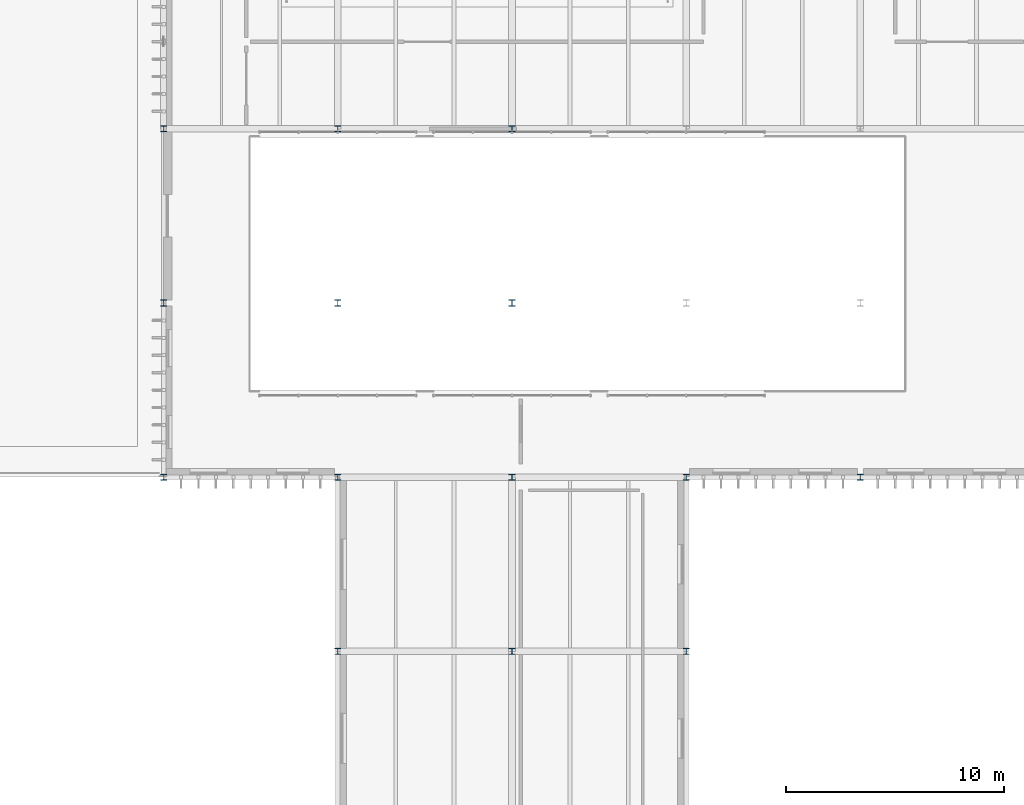
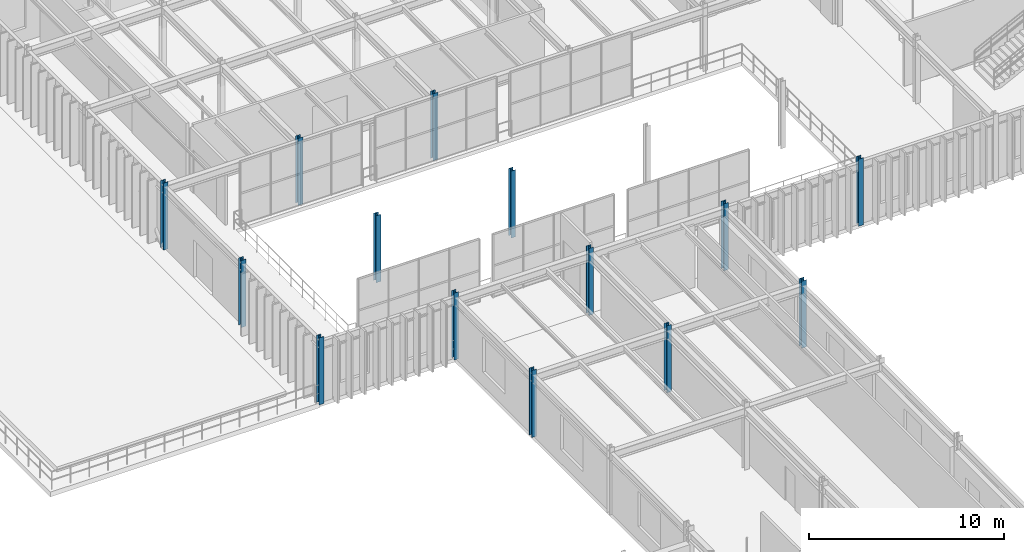
# One storey, part 7 of 122: 14 columns.
"""IFC4 building model written with IfcOpenShell, lengths in metres."""

from ifc_helpers import new_model, si_unit, direction, frame, origin, origin_2d, place, context, subcontext, project, spatial, i_section, extrude, material, material_profile, profile_set, type_object, element, save


model = new_model("IFC4")

# Units and contexts
model_context = context("Model", 3, precision=1e-05, world=origin(), true_north=direction((0.0, 1.0)))
body_context = subcontext(model_context, "Body", "Model", "MODEL_VIEW")
ifc_project = project(units=[si_unit("LENGTHUNIT", "METRE"), si_unit("AREAUNIT", "SQUARE_METRE"), si_unit("VOLUMEUNIT", "CUBIC_METRE"), si_unit("PLANEANGLEUNIT", "RADIAN"), si_unit("MASSUNIT", "GRAM", prefix="KILO")], contexts=[model_context])

# Site, building, storey
site_placement = place(None, origin())
site = spatial("IfcSite", under=ifc_project, at=site_placement, CompositionType="ELEMENT")
building_placement = place(site_placement, origin())
building = spatial("IfcBuilding", under=site, at=building_placement, Name="Sundkrona Museum", CompositionType="ELEMENT")
storey_placement = place(building_placement, frame((0.0, 0.0, 5.39990234375)))
storey = spatial("IfcBuildingStorey", under=building, at=storey_placement, Name="L01", CompositionType="ELEMENT", Elevation=5.39990234375)

# Columns
ifc_material = material(Name="Steel S355J2", Category="steel")
ifc_material_profile = material_profile(ifc_material, i_section(OverallWidth=0.280029296875, OverallDepth=0.280029296875, WebThickness=0.010498046875, FlangeThickness=0.01806640625, FilletRadius=0.02392578125, at=origin_2d()), Name="HEB 280")
ifc_profile_set = profile_set([ifc_material_profile], Name="Steel S355J2")
column_type = type_object("IfcColumnType", Name="C-HEB280", PredefinedType="COLUMN", material=ifc_profile_set)
for number, where, z_axis, x_axis, name in (
    (1, (16.0, 78.0, 0.0), (0.0, 0.0, 1.0), (1.0, 0.0, 0.0), "L01 Column L/3"),
    (2, (16.0, 86.0, 0.0), (0.0, 0.0, 1.0), (1.0, 0.0, 0.0), "L01 Column M/3"),
    (3, (16.0, 94.0, 0.0), (0.0, 0.0, 1.0), (1.0, 0.0, 0.0), "L01 Column N/3"),
    (4, (24.0, 70.0, 0.0), (0.0, 0.0, 1.0), (1.0, 0.0, 0.0), "L01 Column K/4"),
    (5, (24.0, 78.0, 0.0), (0.0, 0.0, 1.0), (1.0, 0.0, 0.0), "L01 Column L/4"),
    (6, (24.0, 86.0, 0.0), (0.0, 0.0, 1.0), (1.0, 0.0, 0.0), "L01 Column M/4"),
    (7, (24.0, 94.0, 0.0), (0.0, 0.0, 1.0), (1.0, 0.0, 0.0), "L01 Column N/4"),
    (8, (32.0, 70.0, 0.0), (0.0, 0.0, 1.0), (1.0, 0.0, 0.0), "L01 Column K/5"),
    (9, (32.0, 78.0, 0.0), (0.0, 0.0, 1.0), (1.0, 0.0, 0.0), "L01 Column L/5"),
    (10, (32.0, 86.0, 0.0), (0.0, 0.0, 1.0), (1.0, 0.0, 0.0), "L01 Column M/5"),
    (11, (32.0, 94.0, 0.0), (0.0, 0.0, 1.0), (1.0, 0.0, 0.0), "L01 Column N/5"),
    (12, (40.0, 70.0, 0.0), (0.0, 0.0, 1.0), (1.0, 0.0, 0.0), "L01 Column K/6"),
    (13, (40.0, 78.0, 0.0), (0.0, 0.0, 1.0), (1.0, 0.0, 0.0), "L01 Column L/6"),
    (14, (48.0, 78.0, 0.0), (0.0, 0.0, 1.0), (1.0, 0.0, 0.0), "L01 Column L/7"),
):
    element("IfcColumn", number, at=place(storey_placement, frame(where, z_axis=z_axis, x_axis=x_axis)), inside=storey, type_object=column_type, Name=name, PredefinedType="COLUMN", context=body_context, shape_type="SweptSolid", body=[
        extrude(i_section(OverallWidth=0.280029296875, OverallDepth=0.280029296875, WebThickness=0.010498046875, FlangeThickness=0.01806640625, FilletRadius=0.02392578125, at=origin_2d()), origin(), (0.0, 0.0, 1.0), 4.2001953125),
    ])

save(model, "model.ifc")
